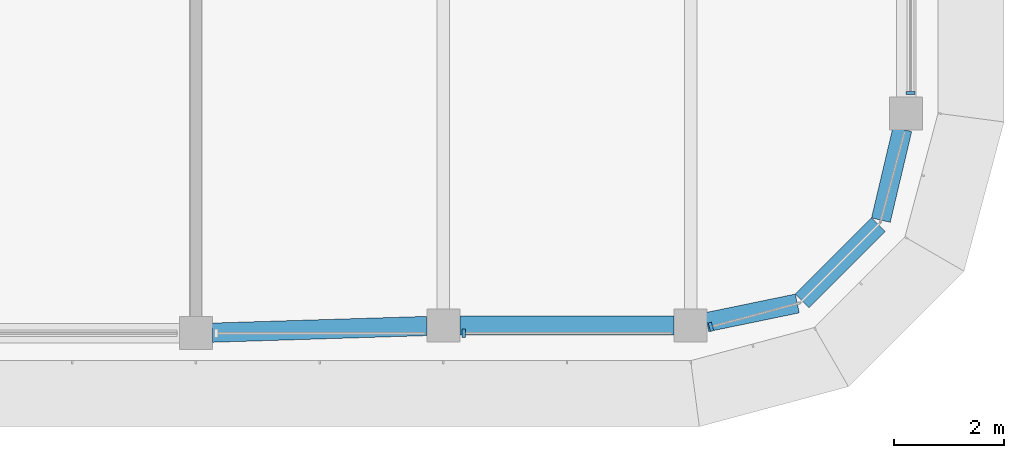
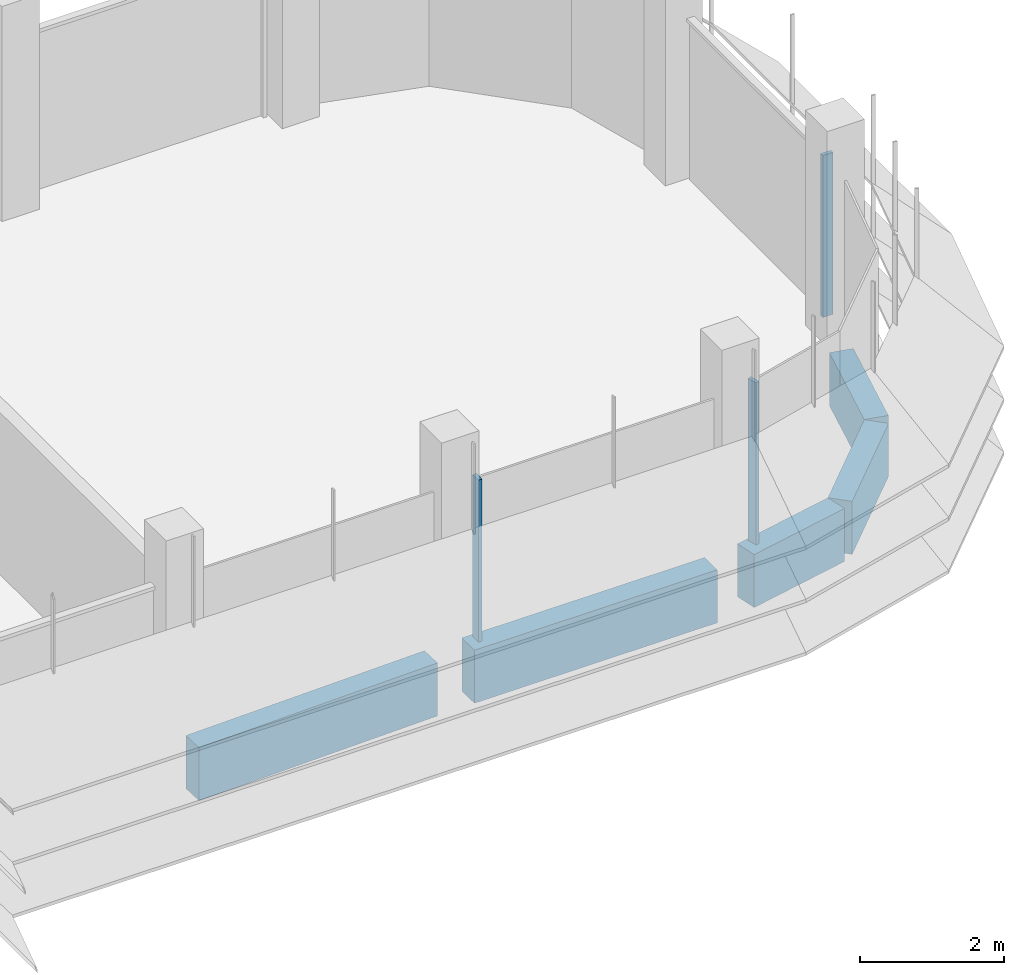
# One storey, part 5 of 19: 5 beams, 3 members, 3 elements without a shape of their own.
"""IFC4 building model written with IfcOpenShell, lengths in metres."""

from ifc_helpers import new_model, si_unit, direction, frame, origin, origin_2d, place, context, subcontext, project, spatial, polyline, rectangle, outline, extrude, source, transform, mapped, material, material_profile, profile_set, type_object, element, aggregate, save


model = new_model("IFC4")

# Units and contexts
model_context = context("Model", 3, precision=1e-05, world=origin(), true_north=direction((0.0, 1.0)))
body_context = subcontext(model_context, "Body", "Model", "MODEL_VIEW")
ifc_project = project(units=[si_unit("LENGTHUNIT", "METRE"), si_unit("AREAUNIT", "SQUARE_METRE"), si_unit("VOLUMEUNIT", "CUBIC_METRE"), si_unit("PLANEANGLEUNIT", "RADIAN"), si_unit("MASSUNIT", "GRAM", prefix="KILO")], contexts=[model_context])

# Site, building, storey
site_placement = place(None, origin())
site = spatial("IfcSite", under=ifc_project, at=site_placement, CompositionType="ELEMENT")
building_placement = place(site_placement, origin())
building = spatial("IfcBuilding", under=site, at=building_placement, Name="Zarbagh Exchange Tower", CompositionType="ELEMENT")
storey_placement = place(building_placement, frame((0.0, 0.0, 261.199951171875)))
storey = spatial("IfcBuildingStorey", under=building, at=storey_placement, Name="L64", CompositionType="ELEMENT", Elevation=261.199951171875)

# Beams
ifc_material_1 = material(Name="Concrete C40/50", Category="concrete")
ifc_material_profile = material_profile(ifc_material_1, rectangle(XDim=0.35009765625, YDim=0.89990234375, at=origin_2d()), Name="RC spandrel beam 350 x 900 C40/50")
ifc_profile_set = profile_set([ifc_material_profile], Name="Concrete C40/50")
beam_type = type_object("IfcBeamType", Name="RC spandrel beam 350 x 900 C40/50", PredefinedType="SPANDREL", material=ifc_profile_set)
beam_1_placement = place(storey_placement, frame((28.600830078125, -2.5419921875, -0.599853515625), z_axis=(-0.230258391117, -0.973129525459, 0.0), x_axis=(0.973129525459, -0.230258391117, 0.0)))
element("IfcBeam", 1, at=beam_1_placement, inside=storey, type_object=beam_type, Name="RC spandrel beam", PredefinedType="SPANDREL", context=body_context, shape_type="SweptSolid", body=[
    extrude(rectangle(XDim=0.35009765625, YDim=0.89990234375, at=origin_2d()), origin(), (0.0, 0.0, 1.0), 1.696533203125),
])
beam_2_placement = place(storey_placement, frame((28.163818359375, -4.2763671875, -0.599853515625), z_axis=(-0.707106781187, -0.707106781187, 0.0), x_axis=(0.707106781187, -0.707106781187, 0.0)))
element("IfcBeam", 2, at=beam_2_placement, inside=storey, type_object=beam_type, Name="RC spandrel beam", PredefinedType="SPANDREL", context=body_context, shape_type="SweptSolid", body=[
    extrude(rectangle(XDim=0.35009765625, YDim=0.89990234375, at=origin_2d()), origin(), (0.0, 0.0, 1.0), 1.95947265625),
])
beam_3_placement = place(storey_placement, frame((26.68994140625, -5.70947265625, -0.599853515625), z_axis=(-0.979349753205, -0.202173343684, 0.0), x_axis=(0.202173343684, -0.979349753205, 0.0)))
element("IfcBeam", 3, at=beam_3_placement, inside=storey, type_object=beam_type, Name="RC spandrel beam", PredefinedType="SPANDREL", context=body_context, shape_type="SweptSolid", body=[
    extrude(rectangle(XDim=0.35009765625, YDim=0.89990234375, at=origin_2d()), origin(), (0.0, 0.0, 1.0), 1.680908203125),
])
beam_4_placement = place(storey_placement, frame((24.449951171875, -6.110107421875, -0.599853515625), z_axis=(-1.0, 0.0, 0.0), x_axis=(0.0, -1.0, 0.0)))
element("IfcBeam", 4, at=beam_4_placement, inside=storey, type_object=beam_type, Name="RC spandrel beam", PredefinedType="SPANDREL", context=body_context, shape_type="SweptSolid", body=[
    extrude(rectangle(XDim=0.35009765625, YDim=0.89990234375, at=origin_2d()), origin(), (0.0, 0.0, 1.0), 3.89990234375),
])
beam_5_placement = place(storey_placement, frame((19.9501953125, -6.119384765625, -0.599853515625), z_axis=(-0.999516460907, -0.031094121249, 0.0), x_axis=(0.031094121249, -0.999516460907, 0.0)))
element("IfcBeam", 5, at=beam_5_placement, inside=storey, type_object=beam_type, Name="RC spandrel beam", PredefinedType="SPANDREL", context=body_context, shape_type="SweptSolid", body=[
    extrude(rectangle(XDim=0.35009765625, YDim=0.89990234375, at=origin_2d()), origin(), (0.0, 0.0, 1.0), 3.90234375),
])

# Curtain wall, member
ifc_material_2 = material(Name="Anodised aluminium frame and glazing", Category="aluminium")
curtain_wall_type = type_object("IfcCurtainWallType", Name="CWB Ribbon glazing, upper zones", PredefinedType="NOTDEFINED", material=ifc_material_2)
curtain_wall_1_placement = place(storey_placement, origin())
curtain_wall_1 = element("IfcCurtainWall", 6, at=curtain_wall_1_placement, inside=storey, type_object=curtain_wall_type, Name="CWB75 curtain wall", PredefinedType="NOTDEFINED")
ifc_material_3 = material(Name="Anodised aluminium frame", Category="aluminium")
member_type = type_object("IfcMemberType", Name="MUB Mullion, anodised aluminium frame", PredefinedType="MULLION", material=ifc_material_3)
shared_shape = source(origin(), body_context, "Body", "SweptSolid", [
    extrude(outline(polyline([(0.0, -0.080078125), (0.06005859375, -0.080078125), (0.06005859375, 0.080078125), (0.0, 0.080078125), (0.0, -0.080078125)])), origin(), (0.0, 0.0, 1.0), 2.75),
])
placement = place(storey_placement, origin())
member_1 = element("IfcMember", 7, at=placement, type_object=member_type, Name="CWB75 mullion 3.1", PredefinedType="MULLION", context=body_context, shape_type="MappedRepresentation", body=[
    mapped(shared_shape, transform((20.590087890625, -6.25, 0.0), x_axis=(1.0, 0.0, 0.0), y_axis=(0.0, 1.0, 0.0), z_axis=(0.0, 0.0, 1.0))),
])
aggregate(curtain_wall_1, [member_1])

curtain_wall_2_placement = place(storey_placement, origin())
curtain_wall_2 = element("IfcCurtainWall", 8, at=curtain_wall_2_placement, inside=storey, type_object=curtain_wall_type, Name="CWB76 curtain wall", PredefinedType="NOTDEFINED")
member_2 = element("IfcMember", 9, at=placement, type_object=member_type, Name="CWB76 mullion 1.1", PredefinedType="MULLION", context=body_context, shape_type="MappedRepresentation", body=[
    mapped(shared_shape, transform((25.08984375, -6.141357421875, 0.0), x_axis=(0.965924289636, 0.258824779902, 0.0), y_axis=(-0.258824779902, 0.965924289636, 0.0), z_axis=(0.0, 0.0, 1.0))),
])
aggregate(curtain_wall_2, [member_2])

curtain_wall_3_placement = place(storey_placement, origin())
curtain_wall_3 = element("IfcCurtainWall", 10, at=curtain_wall_3_placement, inside=storey, type_object=curtain_wall_type, Name="CWB83 curtain wall", PredefinedType="NOTDEFINED")
member_3 = element("IfcMember", 11, at=placement, type_object=member_type, Name="CWB83 mullion 1.1", PredefinedType="MULLION", context=body_context, shape_type="MappedRepresentation", body=[
    mapped(shared_shape, transform((28.75, -1.909912109375, 0.0), x_axis=(0.0, 1.0, 0.0), y_axis=(-1.0, 0.0, 0.0), z_axis=(0.0, 0.0, 1.0))),
])
aggregate(curtain_wall_3, [member_3])

save(model, "model.ifc")
